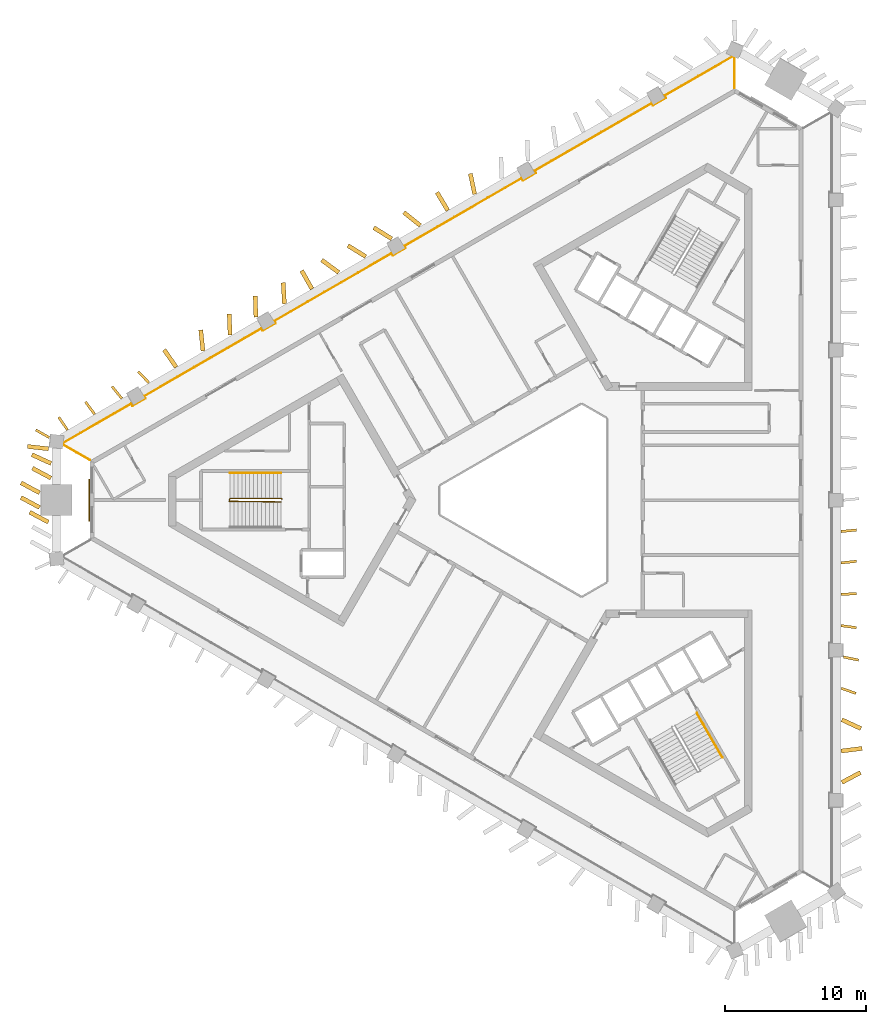
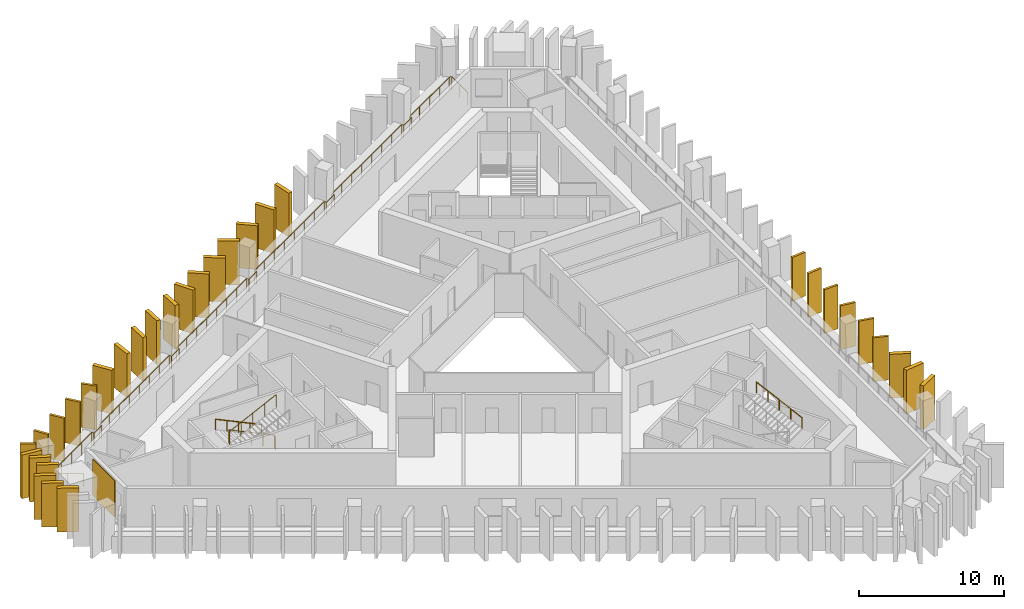
# One storey, part 8 of 9: 32 shading devices, 4 railings, 1 covering.
"""IFC4 building model written with IfcOpenShell, lengths in metres."""

from ifc_helpers import new_model, si_unit, direction, frame, frame_2d, origin, origin_2d, place, context, subcontext, project, spatial, rectangle, circle, extrude, material, layer, layer_set, type_object, element, save


model = new_model("IFC4")

# Units and contexts
model_context = context("Model", 3, precision=1e-05, world=origin(), true_north=direction((0.0, 1.0)))
body_context = subcontext(model_context, "Body", "Model", "MODEL_VIEW")
ifc_project = project(units=[si_unit("LENGTHUNIT", "METRE"), si_unit("AREAUNIT", "SQUARE_METRE"), si_unit("VOLUMEUNIT", "CUBIC_METRE"), si_unit("PLANEANGLEUNIT", "RADIAN"), si_unit("MASSUNIT", "GRAM", prefix="KILO")], contexts=[model_context])

# Site, building, storey
site_placement = place(None, origin())
site = spatial("IfcSite", under=ifc_project, at=site_placement, CompositionType="ELEMENT")
building_placement = place(site_placement, origin())
building = spatial("IfcBuilding", under=site, at=building_placement, Name="Jabali Bay Hotel Tower and Convention Centre", CompositionType="ELEMENT")
storey_placement = place(building_placement, frame((0.0, 0.0, 185.89990234375)))
storey = spatial("IfcBuildingStorey", under=building, at=storey_placement, Name="L45", CompositionType="ELEMENT", Elevation=185.89990234375)

# Railing
ifc_material_1 = material(Name="Glass", Category="glass")
railing_type_1 = type_object("IfcRailingType", Name="Loggia glass guard 1100", PredefinedType="BALUSTRADE", material=ifc_material_1)
railing_1_placement = place(storey_placement, frame((42.821044921875, 82.843994140625, 0.0)))
element("IfcRailing", 1, at=railing_1_placement, inside=storey, type_object=railing_type_1, Name="Loggia glass guard L45", PredefinedType="BALUSTRADE", context=body_context, shape_type="SweptSolid", body=[
    extrude(circle(Radius=0.02490234375, at=origin_2d()), frame((0.0, 0.0, 1.0751953125), z_axis=(-0.866035418383, 0.499982653806, 0.0), x_axis=(-0.495705232892, -0.858626365323, 0.13052619222)), (0.0, 0.0, 1.0), 2.19287109375),
    extrude(circle(Radius=0.02490234375, at=origin_2d()), frame((-1.899169921875, 1.096435546875, 1.0751953125), z_axis=(0.119984594018, 0.992775753732, 0.0), x_axis=(-0.984282419534, 0.118958109183, 0.13052619222)), (0.0, 0.0, 1.0), 0.126220703125),
    extrude(circle(Radius=0.02490234375, at=origin_2d()), frame((-1.884033203125, 1.2216796875, 1.0751953125), z_axis=(0.866013109036, 0.500021294524, 0.0), x_axis=(-0.495743543034, 0.858604246836, 0.13052619222)), (0.0, 0.0, 1.0), 5.586669921875),
    extrude(circle(Radius=0.02490234375, at=origin_2d()), frame((2.9541015625, 4.01513671875, 1.0751953125), z_axis=(0.500486622847, -0.865744269604, 0.0), x_axis=(0.858337707362, 0.496204890408, 0.13052619222)), (0.0, 0.0, 1.0), 0.175048828125),
    extrude(circle(Radius=0.02490234375, at=origin_2d()), frame((3.041748046875, 3.863525390625, 1.0751953125), z_axis=(0.866030680601, 0.499990860175, 0.0), x_axis=(-0.495713369054, 0.858621668074, 0.13052619222)), (0.0, 0.0, 1.0), 1.0498046875),
    extrude(circle(Radius=0.02490234375, at=origin_2d()), frame((3.950927734375, 4.388427734375, 1.0751953125), z_axis=(-0.499440622861, 0.866348119543, 0.0), x_axis=(-0.858936391282, -0.495167839097, 0.13052619222)), (0.0, 0.0, 1.0), 0.175048828125),
    extrude(circle(Radius=0.02490234375, at=origin_2d()), frame((3.863525390625, 4.5400390625, 1.0751953125), z_axis=(0.866026381534, 0.499998306483, 0.0), x_axis=(-0.495720751659, 0.858617405787, 0.13052619222)), (0.0, 0.0, 1.0), 9.62744140625),
    extrude(circle(Radius=0.02490234375, at=origin_2d()), frame((12.201171875, 9.353759765625, 1.0751953125), z_axis=(0.499440622861, -0.866348119543, 0.0), x_axis=(0.858936391282, 0.495167839097, 0.13052619222)), (0.0, 0.0, 1.0), 0.175048828125),
    extrude(circle(Radius=0.02490234375, at=origin_2d()), frame((12.28857421875, 9.2021484375, 1.0751953125), z_axis=(0.865988129768, 0.500064554934, 0.0), x_axis=(-0.495786433345, 0.858579481269, 0.13052619222)), (0.0, 0.0, 1.0), 1.050048828125),
    extrude(circle(Radius=0.02490234375, at=origin_2d()), frame((13.197998046875, 9.727294921875, 1.0751953125), z_axis=(-0.500486622847, 0.865744269604, 0.0), x_axis=(-0.858337707362, -0.496204890408, 0.13052619222)), (0.0, 0.0, 1.0), 0.175048828125),
    extrude(circle(Radius=0.02490234375, at=origin_2d()), frame((13.1103515625, 9.87890625, 1.0751953125), z_axis=(0.866026381534, 0.499998306483, 0.0), x_axis=(-0.495720751659, 0.858617405787, 0.13052619222)), (0.0, 0.0, 1.0), 9.62744140625),
    extrude(circle(Radius=0.02490234375, at=origin_2d()), frame((21.447998046875, 14.692626953125, 1.0751953125), z_axis=(0.499440622861, -0.866348119543, 0.0), x_axis=(0.858936391282, 0.495167839097, 0.13052619222)), (0.0, 0.0, 1.0), 0.175048828125),
    extrude(circle(Radius=0.02490234375, at=origin_2d()), frame((21.535400390625, 14.541015625, 1.0751953125), z_axis=(0.866088799389, 0.499890179513, 0.0), x_axis=(-0.495613549729, 0.858679289647, 0.13052619222)), (0.0, 0.0, 1.0), 1.050048828125),
    extrude(circle(Radius=0.02490234375, at=origin_2d()), frame((22.44482421875, 15.06591796875, 1.0751953125), z_axis=(-0.499440622861, 0.866348119543, 0.0), x_axis=(-0.858936391282, -0.495167839097, 0.13052619222)), (0.0, 0.0, 1.0), 0.175048828125),
    extrude(circle(Radius=0.02490234375, at=origin_2d()), frame((22.357421875, 15.217529296875, 1.0751953125), z_axis=(0.866020041683, 0.500009287317, 0.0), x_axis=(-0.495731638549, 0.858611120174, 0.13052619222)), (0.0, 0.0, 1.0), 9.627197265625),
    extrude(circle(Radius=0.02490234375, at=origin_2d()), frame((30.69482421875, 20.03125, 1.0751953125), z_axis=(0.500486622847, -0.865744269604, 0.0), x_axis=(0.858337707362, 0.496204890408, 0.13052619222)), (0.0, 0.0, 1.0), 0.175048828125),
    extrude(circle(Radius=0.02490234375, at=origin_2d()), frame((30.782470703125, 19.879638671875, 1.0751953125), z_axis=(0.86592997719, 0.500165247297, 0.0), x_axis=(-0.495886264271, 0.858521826194, 0.13052619222)), (0.0, 0.0, 1.0), 1.050048828125),
    extrude(circle(Radius=0.02490234375, at=origin_2d()), frame((31.691650390625, 20.40478515625, 1.0751953125), z_axis=(-0.500044870432, 0.865999496279, 0.0), x_axis=(-0.858590750538, -0.495766917246, 0.13052619222)), (0.0, 0.0, 1.0), 0.1748046875),
    extrude(circle(Radius=0.02490234375, at=origin_2d()), frame((31.604248046875, 20.55615234375, 1.0751953125), z_axis=(0.866026381534, 0.499998306483, 0.0), x_axis=(-0.495720751659, 0.858617405787, 0.13052619222)), (0.0, 0.0, 1.0), 9.62744140625),
    extrude(circle(Radius=0.02490234375, at=origin_2d()), frame((39.94189453125, 25.369873046875, 1.0751953125), z_axis=(0.500044870432, -0.865999496279, 0.0), x_axis=(0.858590750538, 0.495766917246, 0.13052619222)), (0.0, 0.0, 1.0), 0.1748046875),
    extrude(circle(Radius=0.02490234375, at=origin_2d()), frame((40.029296875, 25.218505859375, 1.0751953125), z_axis=(0.866088799389, 0.499890179513, 0.0), x_axis=(-0.495613549729, 0.858679289647, 0.13052619222)), (0.0, 0.0, 1.0), 1.050048828125),
    extrude(circle(Radius=0.02490234375, at=origin_2d()), frame((40.938720703125, 25.743408203125, 1.0751953125), z_axis=(-0.499440622861, 0.866348119543, 0.0), x_axis=(-0.858936391282, -0.495167839097, 0.13052619222)), (0.0, 0.0, 1.0), 0.175048828125),
    extrude(circle(Radius=0.02490234375, at=origin_2d()), frame((40.851318359375, 25.89501953125, 1.0751953125), z_axis=(0.866032032245, 0.499988518994, 0.0), x_axis=(-0.495711047903, 0.858623008154, 0.13052619222)), (0.0, 0.0, 1.0), 5.586669921875),
    extrude(circle(Radius=0.02490234375, at=origin_2d()), frame((45.689453125, 28.688232421875, 1.0751953125), z_axis=(0.920243719744, -0.391345750291, 0.0), x_axis=(0.387997733147, 0.912370907152, 0.13052619222)), (0.0, 0.0, 1.0), 0.1259765625),
    extrude(circle(Radius=0.02490234375, at=origin_2d()), frame((45.805419921875, 28.638916015625, 1.0751953125), z_axis=(0.0, -1.0, 0.0), x_axis=(0.991444861374, 0.0, 0.13052619222)), (0.0, 0.0, 1.0), 2.193115234375),
    extrude(circle(Radius=0.02001953125, at=origin_2d()), origin(), (0.0, 0.0, 1.0), 1.050048828125),
    extrude(circle(Radius=0.02001953125, at=origin_2d()), frame((-0.94970703125, 0.54833984375, 0.0)), (0.0, 0.0, 1.0), 1.050048828125),
    extrude(circle(Radius=0.02001953125, at=origin_2d()), frame((-1.899169921875, 1.096435546875, 0.0)), (0.0, 0.0, 1.0), 1.050048828125),
    extrude(circle(Radius=0.02001953125, at=origin_2d()), frame((-1.884033203125, 1.2216796875, 0.0)), (0.0, 0.0, 1.0), 1.050048828125),
    extrude(circle(Radius=0.02001953125, at=origin_2d()), frame((-0.674560546875, 1.919921875, 0.0)), (0.0, 0.0, 1.0), 1.050048828125),
    extrude(circle(Radius=0.02001953125, at=origin_2d()), frame((0.53515625, 2.618408203125, 0.0)), (0.0, 0.0, 1.0), 1.050048828125),
    extrude(circle(Radius=0.02001953125, at=origin_2d()), frame((1.74462890625, 3.31689453125, 0.0)), (0.0, 0.0, 1.0), 1.050048828125),
    extrude(circle(Radius=0.02001953125, at=origin_2d()), frame((2.9541015625, 4.01513671875, 0.0)), (0.0, 0.0, 1.0), 1.050048828125),
    extrude(circle(Radius=0.02001953125, at=origin_2d()), frame((3.041748046875, 3.863525390625, 0.0)), (0.0, 0.0, 1.0), 1.050048828125),
    extrude(circle(Radius=0.02001953125, at=origin_2d()), frame((3.950927734375, 4.388427734375, 0.0)), (0.0, 0.0, 1.0), 1.050048828125),
    extrude(circle(Radius=0.02001953125, at=origin_2d()), frame((3.863525390625, 4.5400390625, 0.0)), (0.0, 0.0, 1.0), 1.050048828125),
    extrude(circle(Radius=0.02001953125, at=origin_2d()), frame((5.0546875, 5.227783203125, 0.0)), (0.0, 0.0, 1.0), 1.050048828125),
    extrude(circle(Radius=0.02001953125, at=origin_2d()), frame((6.24560546875, 5.915283203125, 0.0)), (0.0, 0.0, 1.0), 1.050048828125),
    extrude(circle(Radius=0.02001953125, at=origin_2d()), frame((7.436767578125, 6.60302734375, 0.0)), (0.0, 0.0, 1.0), 1.050048828125),
    extrude(circle(Radius=0.02001953125, at=origin_2d()), frame((8.6279296875, 7.290771484375, 0.0)), (0.0, 0.0, 1.0), 1.050048828125),
    extrude(circle(Radius=0.02001953125, at=origin_2d()), frame((9.819091796875, 7.978515625, 0.0)), (0.0, 0.0, 1.0), 1.050048828125),
    extrude(circle(Radius=0.02001953125, at=origin_2d()), frame((11.010009765625, 8.666015625, 0.0)), (0.0, 0.0, 1.0), 1.050048828125),
    extrude(circle(Radius=0.02001953125, at=origin_2d()), frame((12.201171875, 9.353759765625, 0.0)), (0.0, 0.0, 1.0), 1.050048828125),
    extrude(circle(Radius=0.02001953125, at=origin_2d()), frame((12.28857421875, 9.2021484375, 0.0)), (0.0, 0.0, 1.0), 1.050048828125),
    extrude(circle(Radius=0.02001953125, at=origin_2d()), frame((13.197998046875, 9.727294921875, 0.0)), (0.0, 0.0, 1.0), 1.050048828125),
    extrude(circle(Radius=0.02001953125, at=origin_2d()), frame((13.1103515625, 9.87890625, 0.0)), (0.0, 0.0, 1.0), 1.050048828125),
    extrude(circle(Radius=0.02001953125, at=origin_2d()), frame((14.301513671875, 10.566650390625, 0.0)), (0.0, 0.0, 1.0), 1.050048828125),
    extrude(circle(Radius=0.02001953125, at=origin_2d()), frame((15.492431640625, 11.254150390625, 0.0)), (0.0, 0.0, 1.0), 1.050048828125),
    extrude(circle(Radius=0.02001953125, at=origin_2d()), frame((16.68359375, 11.94189453125, 0.0)), (0.0, 0.0, 1.0), 1.050048828125),
    extrude(circle(Radius=0.02001953125, at=origin_2d()), frame((17.874755859375, 12.629638671875, 0.0)), (0.0, 0.0, 1.0), 1.050048828125),
    extrude(circle(Radius=0.02001953125, at=origin_2d()), frame((19.06591796875, 13.3173828125, 0.0)), (0.0, 0.0, 1.0), 1.050048828125),
    extrude(circle(Radius=0.02001953125, at=origin_2d()), frame((20.2568359375, 14.0048828125, 0.0)), (0.0, 0.0, 1.0), 1.050048828125),
    extrude(circle(Radius=0.02001953125, at=origin_2d()), frame((21.447998046875, 14.692626953125, 0.0)), (0.0, 0.0, 1.0), 1.050048828125),
    extrude(circle(Radius=0.02001953125, at=origin_2d()), frame((21.535400390625, 14.541015625, 0.0)), (0.0, 0.0, 1.0), 1.050048828125),
    extrude(circle(Radius=0.02001953125, at=origin_2d()), frame((22.44482421875, 15.06591796875, 0.0)), (0.0, 0.0, 1.0), 1.050048828125),
    extrude(circle(Radius=0.02001953125, at=origin_2d()), frame((22.357421875, 15.217529296875, 0.0)), (0.0, 0.0, 1.0), 1.050048828125),
    extrude(circle(Radius=0.02001953125, at=origin_2d()), frame((23.548583984375, 15.9052734375, 0.0)), (0.0, 0.0, 1.0), 1.050048828125),
    extrude(circle(Radius=0.02001953125, at=origin_2d()), frame((24.739501953125, 16.5927734375, 0.0)), (0.0, 0.0, 1.0), 1.050048828125),
    extrude(circle(Radius=0.02001953125, at=origin_2d()), frame((25.9306640625, 17.280517578125, 0.0)), (0.0, 0.0, 1.0), 1.050048828125),
    extrude(circle(Radius=0.02001953125, at=origin_2d()), frame((27.12158203125, 17.96826171875, 0.0)), (0.0, 0.0, 1.0), 1.050048828125),
    extrude(circle(Radius=0.02001953125, at=origin_2d()), frame((28.312744140625, 18.656005859375, 0.0)), (0.0, 0.0, 1.0), 1.050048828125),
    extrude(circle(Radius=0.02001953125, at=origin_2d()), frame((29.503662109375, 19.343505859375, 0.0)), (0.0, 0.0, 1.0), 1.050048828125),
    extrude(circle(Radius=0.02001953125, at=origin_2d()), frame((30.69482421875, 20.03125, 0.0)), (0.0, 0.0, 1.0), 1.050048828125),
    extrude(circle(Radius=0.02001953125, at=origin_2d()), frame((30.782470703125, 19.879638671875, 0.0)), (0.0, 0.0, 1.0), 1.050048828125),
    extrude(circle(Radius=0.02001953125, at=origin_2d()), frame((31.691650390625, 20.40478515625, 0.0)), (0.0, 0.0, 1.0), 1.050048828125),
    extrude(circle(Radius=0.02001953125, at=origin_2d()), frame((31.604248046875, 20.55615234375, 0.0)), (0.0, 0.0, 1.0), 1.050048828125),
    extrude(circle(Radius=0.02001953125, at=origin_2d()), frame((32.79541015625, 21.243896484375, 0.0)), (0.0, 0.0, 1.0), 1.050048828125),
    extrude(circle(Radius=0.02001953125, at=origin_2d()), frame((33.986328125, 21.931396484375, 0.0)), (0.0, 0.0, 1.0), 1.050048828125),
    extrude(circle(Radius=0.02001953125, at=origin_2d()), frame((35.177490234375, 22.619140625, 0.0)), (0.0, 0.0, 1.0), 1.050048828125),
    extrude(circle(Radius=0.02001953125, at=origin_2d()), frame((36.36865234375, 23.306884765625, 0.0)), (0.0, 0.0, 1.0), 1.050048828125),
    extrude(circle(Radius=0.02001953125, at=origin_2d()), frame((37.559814453125, 23.99462890625, 0.0)), (0.0, 0.0, 1.0), 1.050048828125),
    extrude(circle(Radius=0.02001953125, at=origin_2d()), frame((38.750732421875, 24.68212890625, 0.0)), (0.0, 0.0, 1.0), 1.050048828125),
    extrude(circle(Radius=0.02001953125, at=origin_2d()), frame((39.94189453125, 25.369873046875, 0.0)), (0.0, 0.0, 1.0), 1.050048828125),
    extrude(circle(Radius=0.02001953125, at=origin_2d()), frame((40.029296875, 25.218505859375, 0.0)), (0.0, 0.0, 1.0), 1.050048828125),
    extrude(circle(Radius=0.02001953125, at=origin_2d()), frame((40.938720703125, 25.743408203125, 0.0)), (0.0, 0.0, 1.0), 1.050048828125),
    extrude(circle(Radius=0.02001953125, at=origin_2d()), frame((40.851318359375, 25.89501953125, 0.0)), (0.0, 0.0, 1.0), 1.050048828125),
    extrude(circle(Radius=0.02001953125, at=origin_2d()), frame((42.060791015625, 26.59326171875, 0.0)), (0.0, 0.0, 1.0), 1.050048828125),
    extrude(circle(Radius=0.02001953125, at=origin_2d()), frame((43.2705078125, 27.29150390625, 0.0)), (0.0, 0.0, 1.0), 1.050048828125),
    extrude(circle(Radius=0.02001953125, at=origin_2d()), frame((44.47998046875, 27.989990234375, 0.0)), (0.0, 0.0, 1.0), 1.050048828125),
    extrude(circle(Radius=0.02001953125, at=origin_2d()), frame((45.689453125, 28.688232421875, 0.0)), (0.0, 0.0, 1.0), 1.050048828125),
    extrude(circle(Radius=0.02001953125, at=origin_2d()), frame((45.805419921875, 28.638916015625, 0.0)), (0.0, 0.0, 1.0), 1.050048828125),
    extrude(circle(Radius=0.02001953125, at=origin_2d()), frame((45.805419921875, 27.54248046875, 0.0)), (0.0, 0.0, 1.0), 1.050048828125),
    extrude(circle(Radius=0.02001953125, at=origin_2d()), frame((45.805419921875, 26.44580078125, 0.0)), (0.0, 0.0, 1.0), 1.050048828125),
])

# Shading devices
ifc_material_2 = material(Name="Precast concrete C60", Category="concrete")
ifc_layer_1 = layer(ifc_material_2, 0.179931640625)
ifc_layer_set_1 = layer_set([ifc_layer_1], Name="Precast concrete C60")
shading_device_type_1 = type_object("IfcShadingDeviceType", Name="Precast fin 3680 x 1100", PredefinedType="USERDEFINED", material=ifc_layer_set_1)
shading_device_1_placement = place(storey_placement, frame((96.22412109375, 66.626953125, 0.010009765625), z_axis=(0.0, 0.0, 1.0), x_axis=(0.945667408469, -0.325135591037, 0.0)))
element("IfcShadingDevice", 2, at=shading_device_1_placement, inside=storey, type_object=shading_device_type_1, Name="Fin L45 006", ObjectType="FIN", PredefinedType="USERDEFINED", context=body_context, shape_type="SweptSolid", body=[
    extrude(rectangle(XDim=1.10009765625, YDim=0.179931640625, at=frame_2d((0.550048828125, 0.0))), origin(), (0.0, 0.0, 1.0), 3.68017578125),
])
for number, where, z_axis, x_axis, name in (
    (3, (96.379150390625, 68.85595703125, 0.010009765625), (0.0, 0.0, 1.0), (0.978836142772, -0.204645560915, 0.0), "Fin L45 007"),
    (4, (96.207275390625, 71.084716796875, 0.010009765625), (0.0, 0.0, 1.0), (0.990668727288, -0.136291866134, 0.0), "Fin L45 008"),
    (5, (96.19775390625, 73.3134765625, 0.010009765625), (0.0, 0.0, 1.0), (0.999537506242, 0.030410090685, 0.0), "Fin L45 009"),
    (6, (96.204345703125, 75.542236328125, 0.010009765625), (0.0, 0.0, 1.0), (0.994636026078, 0.103436819494, 0.0), "Fin L45 010"),
    (7, (96.2041015625, 77.771240234375, 0.010009765625), (0.0, 0.0, 1.0), (0.994931133727, 0.100558635337, 0.0), "Fin L45 011"),
):
    element("IfcShadingDevice", number, at=place(storey_placement, frame(where, z_axis=z_axis, x_axis=x_axis)), inside=storey, type_object=shading_device_type_1, Name=name, ObjectType="FIN", PredefinedType="USERDEFINED", context=body_context, shape_type="SweptSolid", body=[
        extrude(rectangle(XDim=1.099853515625, YDim=0.179931640625, at=frame_2d((0.5498046875, 0.0))), origin(), (0.0, 0.0, 1.0), 3.68017578125),
    ])
shading_device_2_placement = place(storey_placement, frame((47.01953125, 88.3447265625, 0.010009765625), z_axis=(0.0, 0.0, 1.0), x_axis=(-0.697499756735, 0.71658501893, 0.0)))
element("IfcShadingDevice", 8, at=shading_device_2_placement, inside=storey, type_object=shading_device_type_1, Name="Fin L45 054", ObjectType="FIN", PredefinedType="USERDEFINED", context=body_context, shape_type="SweptSolid", body=[
    extrude(rectangle(XDim=1.10009765625, YDim=0.179931640625, at=frame_2d((0.550048828125, 0.0))), origin(), (0.0, 0.0, 1.0), 3.68017578125),
])
shading_device_3_placement = place(storey_placement, frame((45.09326171875, 87.223388671875, 0.010009765625), z_axis=(0.0, 0.0, 1.0), x_axis=(-0.627965024761, 0.778241561263, 0.0)))
element("IfcShadingDevice", 9, at=shading_device_3_placement, inside=storey, type_object=shading_device_type_1, Name="Fin L45 055", ObjectType="FIN", PredefinedType="USERDEFINED", context=body_context, shape_type="SweptSolid", body=[
    extrude(rectangle(XDim=1.099853515625, YDim=0.179931640625, at=frame_2d((0.5498046875, 0.0))), origin(), (0.0, 0.0, 1.0), 3.68017578125),
])
for number, where, z_axis, x_axis, name in (
    (10, (43.164794921875, 86.10595703125, 0.010009765625), (0.0, 0.0, 1.0), (-0.598365229871, 0.801223471749, 0.0), "Fin L45 056"),
    (11, (41.236083984375, 84.98876953125, 0.010009765625), (0.0, 0.0, 1.0), (-0.56905993639, 0.822296046929, 0.0), "Fin L45 057"),
    (12, (39.941650390625, 84.44873046875, 0.010009765625), (0.0, 0.0, 1.0), (-0.871326486008, 0.490703734224, 0.0), "Fin L45 102"),
):
    element("IfcShadingDevice", number, at=place(storey_placement, frame(where, z_axis=z_axis, x_axis=x_axis)), inside=storey, type_object=shading_device_type_1, Name=name, ObjectType="FIN", PredefinedType="USERDEFINED", context=body_context, shape_type="SweptSolid", body=[
        extrude(rectangle(XDim=1.10009765625, YDim=0.179931640625, at=frame_2d((0.550048828125, 0.0))), origin(), (0.0, 0.0, 1.0), 3.68017578125),
    ])
ifc_layer_2 = layer(ifc_material_2, 0.300048828125)
ifc_layer_set_2 = layer_set([ifc_layer_2], Name="Precast concrete C60")
shading_device_type_2 = type_object("IfcShadingDeviceType", Name="Precast fin 3680 x 1500", PredefinedType="USERDEFINED", material=ifc_layer_set_2)
for number, where, z_axis, x_axis, name in (
    (13, (96.265380859375, 59.940673828125, 0.010009765625), (0.0, 0.0, 1.0), (0.882812079042, 0.469726338517, 0.0), "Fin L45 003"),
    (14, (96.213623046875, 62.16943359375, 0.010009765625), (0.0, 0.0, 1.0), (0.992177393959, 0.124835968039, 0.0), "Fin L45 004"),
    (15, (96.25830078125, 64.398193359375, 0.010009765625), (0.0, 0.0, 1.0), (0.906577766342, -0.422038805768, 0.0), "Fin L45 005"),
    (16, (70.169921875, 101.739013671875, 0.010009765625), (0.0, 0.0, 1.0), (-0.205903837523, 0.978572230187, 0.0), "Fin L45 042"),
    (17, (68.26171875, 100.586181640625, 0.010009765625), (0.0, 0.0, 1.0), (-0.513322496324, 0.858195790462, 0.0), "Fin L45 043"),
    (18, (66.305419921875, 99.516845703125, 0.010009765625), (0.0, 0.0, 1.0), (-0.780106037636, 0.625647320816, 0.0), "Fin L45 044"),
    (19, (64.27587890625, 98.574951171875, 0.010009765625), (0.0, 0.0, 1.0), (-0.850258209303, 0.526365820996, 0.0), "Fin L45 045"),
    (20, (62.436767578125, 97.302490234375, 0.010009765625), (0.0, 0.0, 1.0), (-0.850140244576, 0.526556326097, 0.0), "Fin L45 046"),
    (21, (60.51171875, 96.17919921875, 0.010009765625), (0.0, 0.0, 1.0), (-0.80776371737, 0.589506384105, 0.0), "Fin L45 047"),
    (22, (58.611328125, 95.012939453125, 0.010009765625), (0.0, 0.0, 1.0), (-0.494297401308, 0.869292861503, 0.0), "Fin L45 048"),
    (23, (56.64794921875, 93.956298828125, 0.010009765625), (0.0, 0.0, 1.0), (-0.055830617436, 0.998440254676, 0.0), "Fin L45 049"),
    (24, (54.625, 93.00244140625, 0.010009765625), (0.0, 0.0, 1.0), (-0.033038459284, 0.99945408109, 0.0), "Fin L45 050"),
    (25, (52.786376953125, 91.729248046875, 0.010009765625), (0.0, 0.0, 1.0), (-0.039877036275, 0.999204594654, 0.0), "Fin L45 051"),
    (26, (50.860595703125, 90.607177734375, 0.010009765625), (0.0, 0.0, 1.0), (-0.104981318366, 0.994474194132, 0.0), "Fin L45 052"),
):
    element("IfcShadingDevice", number, at=place(storey_placement, frame(where, z_axis=z_axis, x_axis=x_axis)), inside=storey, type_object=shading_device_type_2, Name=name, ObjectType="FIN", PredefinedType="USERDEFINED", context=body_context, shape_type="SweptSolid", body=[
        extrude(rectangle(XDim=1.5, YDim=0.300048828125, at=frame_2d((0.75, 0.0))), origin(), (0.0, 0.0, 1.0), 3.68017578125),
    ])
shading_device_4_placement = place(storey_placement, frame((48.954833984375, 89.4501953125, 0.010009765625), z_axis=(0.0, 0.0, 1.0), x_axis=(-0.565658047774, 0.824639905043, 0.0)))
element("IfcShadingDevice", 27, at=shading_device_4_placement, inside=storey, type_object=shading_device_type_2, Name="Fin L45 053", ObjectType="FIN", PredefinedType="USERDEFINED", context=body_context, shape_type="SweptSolid", body=[
    extrude(rectangle(XDim=1.499755859375, YDim=0.300048828125, at=frame_2d((0.75, 0.0))), origin(), (0.0, 0.0, 1.0), 3.68017578125),
])
for number, where, z_axis, x_axis, name in (
    (28, (39.880859375, 83.650390625, 0.010009765625), (0.0, 0.0, 1.0), (-0.9938559137, 0.110681628122, 0.0), "Fin L45 058"),
    (29, (40.07177734375, 82.607421875, 0.010009765625), (0.0, 0.0, 1.0), (-0.90920348445, 0.416352043184, 0.0), "Fin L45 059"),
    (30, (40.063232421875, 81.564453125, 0.010009765625), (0.0, 0.0, 1.0), (-0.881061009287, 0.473002640493, 0.0), "Fin L45 060"),
    (31, (39.250732421875, 80.521484375, 0.010009765625), (0.0, 0.0, 1.0), (-0.881061009287, 0.473002640493, 0.0), "Fin L45 061"),
    (32, (39.250732421875, 79.478515625, 0.010009765625), (0.0, 0.0, 1.0), (-0.881061009287, 0.473002640493, 0.0), "Fin L45 062"),
    (33, (39.869873046875, 78.435546875, 0.010009765625), (0.0, 0.0, 1.0), (-0.881061009287, 0.473002640493, 0.0), "Fin L45 063"),
):
    element("IfcShadingDevice", number, at=place(storey_placement, frame(where, z_axis=z_axis, x_axis=x_axis)), inside=storey, type_object=shading_device_type_2, Name=name, ObjectType="FIN", PredefinedType="USERDEFINED", context=body_context, shape_type="SweptSolid", body=[
        extrude(rectangle(XDim=1.5, YDim=0.300048828125, at=frame_2d((0.75, 0.0))), origin(), (0.0, 0.0, 1.0), 3.68017578125),
    ])

# Covering
ifc_material_3 = material(Name="Precast concrete C40/50", Category="concrete")
ifc_layer_3 = layer(ifc_material_3, 0.080078125)
ifc_layer_set_3 = layer_set([ifc_layer_3], Name="Precast concrete C40/50")
covering_type = type_object("IfcCoveringType", Name="Relief panel 3000 x 3050", PredefinedType="CLADDING", material=ifc_layer_set_3)
covering_placement = place(storey_placement, frame((42.781005859375, 80.0, 0.10009765625), z_axis=(0.0, 0.0, 1.0), x_axis=(0.0, 1.0, 0.0)))
element("IfcCovering", 34, at=covering_placement, inside=storey, type_object=covering_type, Name="Relief panel L45", PredefinedType="CLADDING", context=body_context, shape_type="SweptSolid", body=[
    extrude(rectangle(XDim=3.0, YDim=0.080078125, at=origin_2d()), origin(), (0.0, 0.0, 1.0), 3.050048828125),
])

# Railings
ifc_material_4 = material(Name="Steel Q355B", Category="steel")
railing_type_2 = type_object("IfcRailingType", Name="Stair guard 1100", PredefinedType="GUARDRAIL", material=ifc_material_4)
railing_2_placement = place(storey_placement, frame((56.469970703125, 80.074951171875, 0.0)))
element("IfcRailing", 35, at=railing_2_placement, inside=storey, type_object=railing_type_2, Name="L45 ST1 stair guard 1", PredefinedType="GUARDRAIL", context=body_context, shape_type="SweptSolid", body=[
    extrude(circle(Radius=0.02392578125, at=origin_2d()), frame((0.0, 0.0, 1.076171875), z_axis=(-0.333514590198, 0.333514590198, 0.881780038474), x_axis=(-0.707106781187, -0.707106781187, 0.0)), (0.0, 0.0, 1.0), 0.150146484375),
    extrude(circle(Radius=0.02392578125, at=origin_2d()), frame((-0.050048828125, 0.050048828125, 1.20849609375), z_axis=(-0.904350763662, 0.0, 0.426789990819), x_axis=(0.0, -1.0, 0.0)), (0.0, 0.0, 1.0), 4.02490234375),
    extrude(circle(Radius=0.02392578125, at=origin_2d()), frame((-3.68994140625, 0.050048828125, 2.92626953125), z_axis=(-0.242814311512, -0.970072785993, 0.0), x_axis=(0.970072785993, -0.242814311512, 0.0)), (0.0, 0.0, 1.0), 0.2060546875),
    extrude(circle(Radius=0.02392578125, at=origin_2d()), frame((-3.739990234375, -0.14990234375, 2.92626953125), z_axis=(0.893864111827, -0.012124000458, 0.448174026692), x_axis=(0.013562335953, 0.999908027292, 0.0)), (0.0, 0.0, 1.0), 4.128173828125),
    extrude(circle(Radius=0.02099609375, at=origin_2d()), origin(), (0.0, 0.0, 1.0), 1.052001953125),
    extrude(circle(Radius=0.02099609375, at=origin_2d()), frame((-0.050048828125, 0.050048828125, 0.13232421875)), (0.0, 0.0, 1.0), 1.052001953125),
    extrude(circle(Radius=0.02099609375, at=origin_2d()), frame((-0.9599609375, 0.050048828125, 0.561767578125)), (0.0, 0.0, 1.0), 1.052001953125),
    extrude(circle(Radius=0.02099609375, at=origin_2d()), frame((-1.8701171875, 0.050048828125, 0.9912109375)), (0.0, 0.0, 1.0), 1.052001953125),
    extrude(circle(Radius=0.02099609375, at=origin_2d()), frame((-2.780029296875, 0.050048828125, 1.420654296875)), (0.0, 0.0, 1.0), 1.052001953125),
    extrude(circle(Radius=0.02099609375, at=origin_2d()), frame((-3.68994140625, 0.050048828125, 1.85009765625)), (0.0, 0.0, 1.0), 1.052001953125),
    extrude(circle(Radius=0.02099609375, at=origin_2d()), frame((-3.739990234375, -0.14990234375, 1.85009765625)), (0.0, 0.0, 1.0), 1.052001953125),
    extrude(circle(Radius=0.02099609375, at=origin_2d()), frame((-2.8173828125, -0.162353515625, 2.3125)), (0.0, 0.0, 1.0), 1.052001953125),
    extrude(circle(Radius=0.02099609375, at=origin_2d()), frame((-1.89501953125, -0.1748046875, 2.775146484375)), (0.0, 0.0, 1.0), 1.052001953125),
    extrude(circle(Radius=0.02099609375, at=origin_2d()), frame((-0.97265625, -0.1875, 3.23779296875)), (0.0, 0.0, 1.0), 1.052001953125),
    extrude(circle(Radius=0.02099609375, at=origin_2d()), frame((-0.050048828125, -0.199951171875, 3.7001953125)), (0.0, 0.0, 1.0), 1.052001953125),
])
railing_type_3 = type_object("IfcRailingType", Name="Stair handrail 900", PredefinedType="HANDRAIL", material=ifc_material_4)
railing_3_placement = place(storey_placement, frame((56.419921875, 81.925048828125, 0.13232421875)))
element("IfcRailing", 36, at=railing_3_placement, inside=storey, type_object=railing_type_3, Name="L45 ST1 stair handrail 1", PredefinedType="HANDRAIL", context=body_context, shape_type="SweptSolid", body=[
    extrude(circle(Radius=0.02392578125, at=origin_2d()), frame((0.0, 0.0, 0.8759765625), z_axis=(-0.904350763662, 0.0, 0.426789990819), x_axis=(0.0, -1.0, 0.0)), (0.0, 0.0, 1.0), 4.02490234375),
    extrude(circle(Radius=0.02099609375, at=origin_2d()), origin(), (0.0, 0.0, 1.0), 0.851806640625),
    extrude(circle(Radius=0.02099609375, at=origin_2d()), frame((-0.909912109375, 0.0, 0.429443359375)), (0.0, 0.0, 1.0), 0.851806640625),
    extrude(circle(Radius=0.02099609375, at=origin_2d()), frame((-1.81982421875, 0.0, 0.85888671875)), (0.0, 0.0, 1.0), 0.851806640625),
    extrude(circle(Radius=0.02099609375, at=origin_2d()), frame((-2.72998046875, 0.0, 1.288330078125)), (0.0, 0.0, 1.0), 0.851806640625),
    extrude(circle(Radius=0.02099609375, at=origin_2d()), frame((-3.639892578125, 0.0, 1.7177734375)), (0.0, 0.0, 1.0), 0.851806640625),
])
railing_4_placement = place(storey_placement, frame((87.777099609375, 61.719482421875, 1.982177734375)))
element("IfcRailing", 37, at=railing_4_placement, inside=storey, type_object=railing_type_3, Name="L45 ST3 stair handrail 2", PredefinedType="HANDRAIL", context=body_context, shape_type="SweptSolid", body=[
    extrude(circle(Radius=0.02392578125, at=origin_2d()), frame((0.0, 0.0, 0.8759765625), z_axis=(-0.45217862506, 0.783169739339, 0.426825081763), x_axis=(-0.866018046521, -0.500012742938, 0.0)), (0.0, 0.0, 1.0), 4.025146484375),
    extrude(circle(Radius=0.02099609375, at=origin_2d()), origin(), (0.0, 0.0, 1.0), 0.851806640625),
    extrude(circle(Radius=0.02099609375, at=origin_2d()), frame((-0.455078125, 0.7880859375, 0.429443359375)), (0.0, 0.0, 1.0), 0.851806640625),
    extrude(circle(Radius=0.02099609375, at=origin_2d()), frame((-0.91015625, 1.576171875, 0.85888671875)), (0.0, 0.0, 1.0), 0.851806640625),
    extrude(circle(Radius=0.02099609375, at=origin_2d()), frame((-1.364990234375, 2.3642578125, 1.28857421875)), (0.0, 0.0, 1.0), 0.851806640625),
    extrude(circle(Radius=0.02099609375, at=origin_2d()), frame((-1.820068359375, 3.15234375, 1.718017578125)), (0.0, 0.0, 1.0), 0.851806640625),
])

save(model, "model.ifc")
